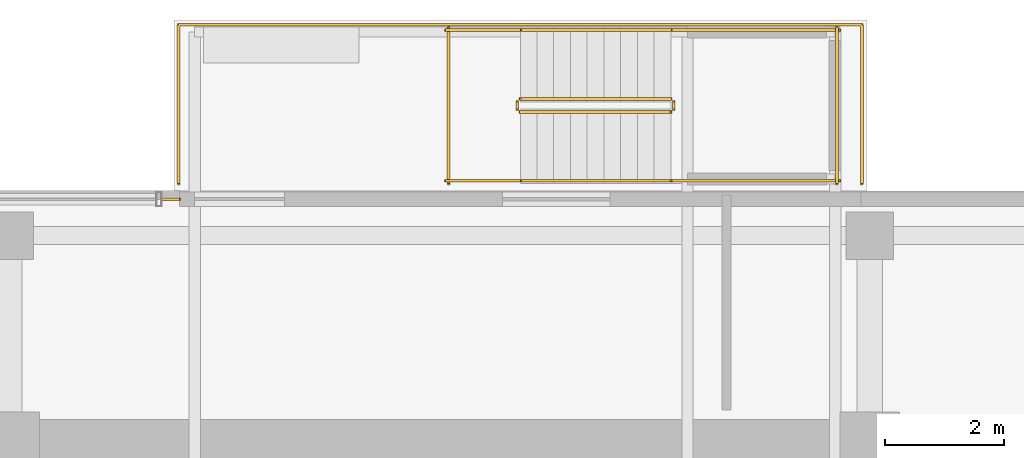
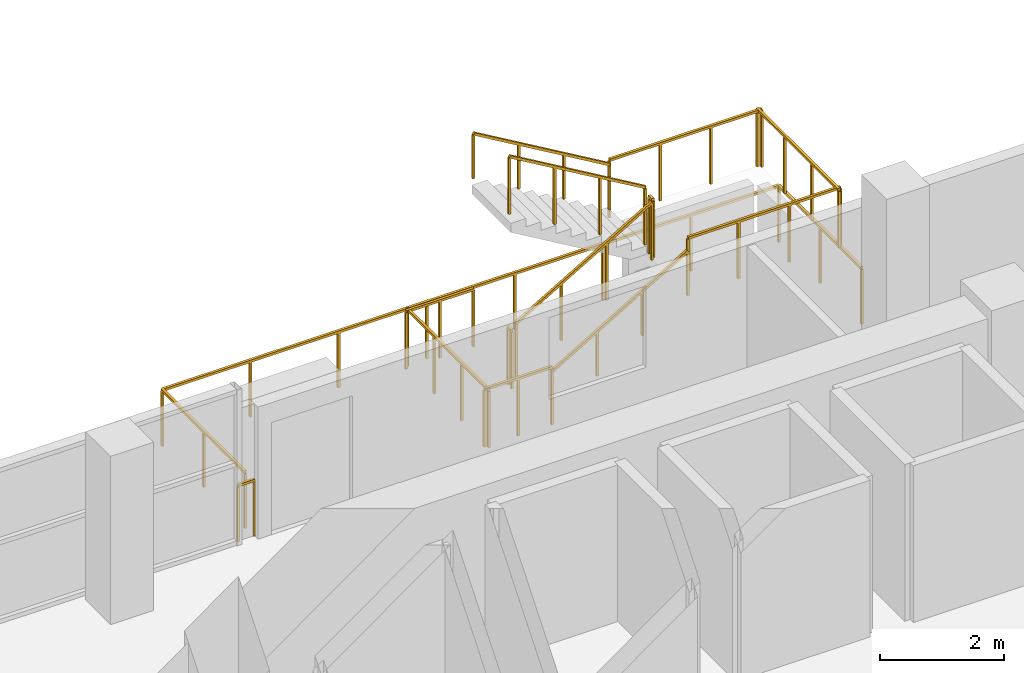
# One storey, part 26 of 27: 14 railings.
"""IFC4 building model written with IfcOpenShell, lengths in metres."""

from ifc_helpers import new_model, si_unit, direction, frame, origin, origin_2d, place, context, subcontext, project, spatial, rectangle, extrude, material, type_object, element, save


model = new_model("IFC4")

# Units and contexts
model_context = context("Model", 3, precision=1e-05, world=origin(), true_north=direction((0.0, 1.0)))
body_context = subcontext(model_context, "Body", "Model", "MODEL_VIEW")
ifc_project = project(units=[si_unit("LENGTHUNIT", "METRE"), si_unit("AREAUNIT", "SQUARE_METRE"), si_unit("VOLUMEUNIT", "CUBIC_METRE"), si_unit("PLANEANGLEUNIT", "RADIAN"), si_unit("MASSUNIT", "GRAM", prefix="KILO")], contexts=[model_context])

# Site, building, storey
site_placement = place(None, origin())
site = spatial("IfcSite", under=ifc_project, at=site_placement, CompositionType="ELEMENT")
building_placement = place(site_placement, origin())
building = spatial("IfcBuilding", under=site, at=building_placement, Name="Zarnakvel Exchange Tower", CompositionType="ELEMENT")
storey_placement = place(building_placement, frame((0.0, 0.0, 86.800048828125)))
storey = spatial("IfcBuildingStorey", under=building, at=storey_placement, Name="L23", CompositionType="ELEMENT", Elevation=86.800048828125)

# Railings
ifc_material_1 = material(Name="Architectural Bronze Anodised Aluminium", Category="aluminium")
railing_type_1 = type_object("IfcRailingType", Name="GR-02", PredefinedType="GUARDRAIL", material=ifc_material_1)
railing_1_placement = place(storey_placement, frame((-4.3701171875, 17.820068359375, 0.0)))
element("IfcRailing", 1, at=railing_1_placement, inside=storey, type_object=railing_type_1, Name="L23 Spiral Sky-Terrace Perimeter Guardrail", PredefinedType="GUARDRAIL", context=body_context, shape_type="SweptSolid", body=[
    extrude(rectangle(XDim=0.048095703125, YDim=0.048095703125, at=origin_2d()), frame((0.0, 0.0, 1.09619140625), z_axis=(0.0, 1.0, 0.0), x_axis=(-1.0, 0.0, 0.0)), (0.0, 0.0, 1.0), 2.659912109375),
    extrude(rectangle(XDim=0.048095703125, YDim=0.048095703125, at=origin_2d()), frame((0.0, 2.659912109375, 1.09619140625), z_axis=(1.0, 0.0, 0.0), x_axis=(0.0, 1.0, 0.0)), (0.0, 0.0, 1.0), 11.440185546875),
    extrude(rectangle(XDim=0.048095703125, YDim=0.048095703125, at=origin_2d()), frame((11.440185546875, 2.659912109375, 1.09619140625), z_axis=(0.0, -1.0, 0.0), x_axis=(1.0, 0.0, 0.0)), (0.0, 0.0, 1.0), 2.659912109375),
    extrude(rectangle(XDim=0.0419921875, YDim=0.0419921875, at=origin_2d()), origin(), (0.0, 0.0, 1.0), 1.072021484375),
    extrude(rectangle(XDim=0.0419921875, YDim=0.0419921875, at=origin_2d()), frame((0.0, 1.330078125, 0.0)), (0.0, 0.0, 1.0), 1.072021484375),
    extrude(rectangle(XDim=0.0419921875, YDim=0.0419921875, at=origin_2d()), frame((0.0, 2.659912109375, 0.0)), (0.0, 0.0, 1.0), 1.072021484375),
    extrude(rectangle(XDim=0.0419921875, YDim=0.0419921875, at=origin_2d()), frame((1.63427734375, 2.659912109375, 0.0)), (0.0, 0.0, 1.0), 1.072021484375),
    extrude(rectangle(XDim=0.0419921875, YDim=0.0419921875, at=origin_2d()), frame((3.2685546875, 2.659912109375, 0.0)), (0.0, 0.0, 1.0), 1.072021484375),
    extrude(rectangle(XDim=0.0419921875, YDim=0.0419921875, at=origin_2d()), frame((4.90283203125, 2.659912109375, 0.0)), (0.0, 0.0, 1.0), 1.072021484375),
    extrude(rectangle(XDim=0.0419921875, YDim=0.0419921875, at=origin_2d()), frame((6.537353515625, 2.659912109375, 0.0)), (0.0, 0.0, 1.0), 1.072021484375),
    extrude(rectangle(XDim=0.0419921875, YDim=0.0419921875, at=origin_2d()), frame((8.171630859375, 2.659912109375, 0.0)), (0.0, 0.0, 1.0), 1.072021484375),
    extrude(rectangle(XDim=0.0419921875, YDim=0.0419921875, at=origin_2d()), frame((9.805908203125, 2.659912109375, 0.0)), (0.0, 0.0, 1.0), 1.072021484375),
    extrude(rectangle(XDim=0.0419921875, YDim=0.0419921875, at=origin_2d()), frame((11.440185546875, 2.659912109375, 0.0)), (0.0, 0.0, 1.0), 1.072021484375),
    extrude(rectangle(XDim=0.0419921875, YDim=0.0419921875, at=origin_2d()), frame((11.440185546875, 1.330078125, 0.0)), (0.0, 0.0, 1.0), 1.072021484375),
    extrude(rectangle(XDim=0.0419921875, YDim=0.0419921875, at=origin_2d()), frame((11.440185546875, 0.0, 0.0)), (0.0, 0.0, 1.0), 1.072021484375),
])
railing_2_placement = place(storey_placement, frame((-4.64990234375, 17.56005859375, 0.0)))
element("IfcRailing", 2, at=railing_2_placement, inside=storey, type_object=railing_type_1, Name="L23 Corner Spandrel Balustrade #5", PredefinedType="GUARDRAIL", context=body_context, shape_type="SweptSolid", body=[
    extrude(rectangle(XDim=0.048095703125, YDim=0.048095703125, at=origin_2d()), frame((0.0, 0.0, 1.09619140625), z_axis=(1.0, 0.0, 0.0), x_axis=(0.0, 1.0, 0.0)), (0.0, 0.0, 1.0), 0.2998046875),
    extrude(rectangle(XDim=0.0419921875, YDim=0.0419921875, at=origin_2d()), origin(), (0.0, 0.0, 1.0), 1.072021484375),
    extrude(rectangle(XDim=0.0419921875, YDim=0.0419921875, at=origin_2d()), frame((0.2998046875, 0.0, 0.0)), (0.0, 0.0, 1.0), 1.072021484375),
])
ifc_material_2 = material(Name="Brushed Stainless Steel", Category="steel")
railing_type_2 = type_object("IfcRailingType", Name="HR-01", PredefinedType="HANDRAIL", material=ifc_material_2)
railing_3_placement = place(storey_placement, frame((1.35009765625, 17.8701171875, 0.1650390625)))
element("IfcRailing", 3, at=railing_3_placement, inside=storey, type_object=railing_type_2, Name="L23 ST-09 stair handrail 1", PredefinedType="HANDRAIL", context=body_context, shape_type="SweptSolid", body=[
    extrude(rectangle(XDim=0.048095703125, YDim=0.048095703125, at=origin_2d()), frame((0.0, 0.0, 0.8759765625), z_axis=(0.861560626758, 0.0, 0.507654692109), x_axis=(0.0, 1.0, 0.0)), (0.0, 0.0, 1.0), 2.925048828125),
    extrude(rectangle(XDim=0.0419921875, YDim=0.0419921875, at=origin_2d()), origin(), (0.0, 0.0, 1.0), 0.851806640625),
    extrude(rectangle(XDim=0.0419921875, YDim=0.0419921875, at=origin_2d()), frame((0.840087890625, 0.0, 0.494873046875)), (0.0, 0.0, 1.0), 0.851806640625),
    extrude(rectangle(XDim=0.0419921875, YDim=0.0419921875, at=origin_2d()), frame((1.679931640625, 0.0, 0.989990234375)), (0.0, 0.0, 1.0), 0.851806640625),
    extrude(rectangle(XDim=0.0419921875, YDim=0.0419921875, at=origin_2d()), frame((2.52001953125, 0.0, 1.48486328125)), (0.0, 0.0, 1.0), 0.851806640625),
])
railing_4_placement = place(storey_placement, frame((3.8701171875, 20.389892578125, 1.81494140625)))
element("IfcRailing", 4, at=railing_4_placement, inside=storey, type_object=railing_type_2, Name="L23 ST-09 stair handrail 2", PredefinedType="HANDRAIL", context=body_context, shape_type="SweptSolid", body=[
    extrude(rectangle(XDim=0.048095703125, YDim=0.048095703125, at=origin_2d()), frame((0.0, 0.0, 0.8759765625), z_axis=(-0.86152411907, 0.0, 0.507716645641), x_axis=(0.0, -1.0, 0.0)), (0.0, 0.0, 1.0), 2.925048828125),
    extrude(rectangle(XDim=0.0419921875, YDim=0.0419921875, at=origin_2d()), origin(), (0.0, 0.0, 1.0), 0.851806640625),
    extrude(rectangle(XDim=0.0419921875, YDim=0.0419921875, at=origin_2d()), frame((-0.840087890625, 0.0, 0.4951171875)), (0.0, 0.0, 1.0), 0.851806640625),
    extrude(rectangle(XDim=0.0419921875, YDim=0.0419921875, at=origin_2d()), frame((-1.679931640625, 0.0, 0.989990234375)), (0.0, 0.0, 1.0), 0.851806640625),
    extrude(rectangle(XDim=0.0419921875, YDim=0.0419921875, at=origin_2d()), frame((-2.52001953125, 0.0, 1.485107421875)), (0.0, 0.0, 1.0), 0.851806640625),
])
railing_type_3 = type_object("IfcRailingType", Name="SG-01", PredefinedType="GUARDRAIL", material=ifc_material_1)
railing_5_placement = place(storey_placement, frame((1.35009765625, 19.02001953125, 0.1650390625)))
element("IfcRailing", 5, at=railing_5_placement, inside=storey, type_object=railing_type_3, Name="L23 ST-09 stair guard 1", PredefinedType="GUARDRAIL", context=body_context, shape_type="SweptSolid", body=[
    extrude(rectangle(XDim=0.048095703125, YDim=0.048095703125, at=origin_2d()), frame((0.0, 0.0, 1.1259765625), z_axis=(0.861560626758, 0.0, 0.507654692109), x_axis=(0.0, 1.0, 0.0)), (0.0, 0.0, 1.0), 2.925048828125),
    extrude(rectangle(XDim=0.0419921875, YDim=0.0419921875, at=origin_2d()), origin(), (0.0, 0.0, 1.0), 1.101806640625),
    extrude(rectangle(XDim=0.0419921875, YDim=0.0419921875, at=origin_2d()), frame((0.840087890625, 0.0, 0.494873046875)), (0.0, 0.0, 1.0), 1.101806640625),
    extrude(rectangle(XDim=0.0419921875, YDim=0.0419921875, at=origin_2d()), frame((1.679931640625, 0.0, 0.989990234375)), (0.0, 0.0, 1.0), 1.101806640625),
    extrude(rectangle(XDim=0.0419921875, YDim=0.0419921875, at=origin_2d()), frame((2.52001953125, 0.0, 1.48486328125)), (0.0, 0.0, 1.0), 1.101806640625),
])
railing_6_placement = place(storey_placement, frame((3.919921875, 19.070068359375, 1.64990234375)))
element("IfcRailing", 6, at=railing_6_placement, inside=storey, type_object=railing_type_3, Name="L23 ST-09 stair guard 2", PredefinedType="GUARDRAIL", context=body_context, shape_type="SweptSolid", body=[
    extrude(rectangle(XDim=0.048095703125, YDim=0.048095703125, at=origin_2d()), frame((0.0, 0.0, 1.1259765625), z_axis=(0.0, 1.0, 0.0), x_axis=(-1.0, 0.0, 0.0)), (0.0, 0.0, 1.0), 0.119873046875),
    extrude(rectangle(XDim=0.0419921875, YDim=0.0419921875, at=origin_2d()), origin(), (0.0, 0.0, 1.0), 1.101806640625),
    extrude(rectangle(XDim=0.0419921875, YDim=0.0419921875, at=origin_2d()), frame((0.0, 0.119873046875, 0.0)), (0.0, 0.0, 1.0), 1.101806640625),
])
for number, where, name in (
    (7, (3.8701171875, 17.8701171875, 1.64990234375), "L23 ST-09 stair guard 3"),
    (8, (3.8701171875, 20.389892578125, 1.64990234375), "L23 ST-09 stair guard 4"),
):
    element("IfcRailing", number, at=place(storey_placement, frame(where)), inside=storey, type_object=railing_type_3, Name=name, PredefinedType="GUARDRAIL", context=body_context, shape_type="SweptSolid", body=[
        extrude(rectangle(XDim=0.048095703125, YDim=0.048095703125, at=origin_2d()), frame((0.0, 0.0, 1.1259765625), z_axis=(1.0, 0.0, 0.0), x_axis=(0.0, 1.0, 0.0)), (0.0, 0.0, 1.0), 2.829833984375),
        extrude(rectangle(XDim=0.0419921875, YDim=0.0419921875, at=origin_2d()), origin(), (0.0, 0.0, 1.0), 1.101806640625),
        extrude(rectangle(XDim=0.0419921875, YDim=0.0419921875, at=origin_2d()), frame((0.943359375, 0.0, 0.0)), (0.0, 0.0, 1.0), 1.101806640625),
        extrude(rectangle(XDim=0.0419921875, YDim=0.0419921875, at=origin_2d()), frame((1.886474609375, 0.0, 0.0)), (0.0, 0.0, 1.0), 1.101806640625),
        extrude(rectangle(XDim=0.0419921875, YDim=0.0419921875, at=origin_2d()), frame((2.829833984375, 0.0, 0.0)), (0.0, 0.0, 1.0), 1.101806640625),
    ])
railing_7_placement = place(storey_placement, frame((6.64990234375, 17.820068359375, 1.64990234375)))
element("IfcRailing", 9, at=railing_7_placement, inside=storey, type_object=railing_type_3, Name="L23 ST-09 stair guard 5", PredefinedType="GUARDRAIL", context=body_context, shape_type="SweptSolid", body=[
    extrude(rectangle(XDim=0.048095703125, YDim=0.048095703125, at=origin_2d()), frame((0.0, 0.0, 1.1259765625), z_axis=(0.0, 1.0, 0.0), x_axis=(-1.0, 0.0, 0.0)), (0.0, 0.0, 1.0), 2.619873046875),
    extrude(rectangle(XDim=0.0419921875, YDim=0.0419921875, at=origin_2d()), origin(), (0.0, 0.0, 1.0), 1.101806640625),
    extrude(rectangle(XDim=0.0419921875, YDim=0.0419921875, at=origin_2d()), frame((0.0, 0.873291015625, 0.0)), (0.0, 0.0, 1.0), 1.101806640625),
    extrude(rectangle(XDim=0.0419921875, YDim=0.0419921875, at=origin_2d()), frame((0.0, 1.74658203125, 0.0)), (0.0, 0.0, 1.0), 1.101806640625),
    extrude(rectangle(XDim=0.0419921875, YDim=0.0419921875, at=origin_2d()), frame((0.0, 2.619873046875, 0.0)), (0.0, 0.0, 1.0), 1.101806640625),
])
railing_8_placement = place(storey_placement, frame((3.8701171875, 19.239990234375, 1.81494140625)))
element("IfcRailing", 10, at=railing_8_placement, inside=storey, type_object=railing_type_3, Name="L23 ST-09 stair guard 6", PredefinedType="GUARDRAIL", context=body_context, shape_type="SweptSolid", body=[
    extrude(rectangle(XDim=0.048095703125, YDim=0.048095703125, at=origin_2d()), frame((0.0, 0.0, 1.1259765625), z_axis=(-0.86152411907, 0.0, 0.507716645641), x_axis=(0.0, -1.0, 0.0)), (0.0, 0.0, 1.0), 2.925048828125),
    extrude(rectangle(XDim=0.0419921875, YDim=0.0419921875, at=origin_2d()), origin(), (0.0, 0.0, 1.0), 1.101806640625),
    extrude(rectangle(XDim=0.0419921875, YDim=0.0419921875, at=origin_2d()), frame((-0.840087890625, 0.0, 0.4951171875)), (0.0, 0.0, 1.0), 1.101806640625),
    extrude(rectangle(XDim=0.0419921875, YDim=0.0419921875, at=origin_2d()), frame((-1.679931640625, 0.0, 0.989990234375)), (0.0, 0.0, 1.0), 1.101806640625),
    extrude(rectangle(XDim=0.0419921875, YDim=0.0419921875, at=origin_2d()), frame((-2.52001953125, 0.0, 1.485107421875)), (0.0, 0.0, 1.0), 1.101806640625),
])
railing_9_placement = place(storey_placement, frame((1.300048828125, 19.070068359375, 0.0)))
element("IfcRailing", 11, at=railing_9_placement, inside=storey, type_object=railing_type_3, Name="L23 ST-09 stair guard 7", PredefinedType="GUARDRAIL", context=body_context, shape_type="SweptSolid", body=[
    extrude(rectangle(XDim=0.048095703125, YDim=0.048095703125, at=origin_2d()), frame((0.0, 0.0, 1.1259765625), z_axis=(0.0, 1.0, 0.0), x_axis=(-1.0, 0.0, 0.0)), (0.0, 0.0, 1.0), 0.119873046875),
    extrude(rectangle(XDim=0.0419921875, YDim=0.0419921875, at=origin_2d()), origin(), (0.0, 0.0, 1.0), 1.101806640625),
    extrude(rectangle(XDim=0.0419921875, YDim=0.0419921875, at=origin_2d()), frame((0.0, 0.119873046875, 0.0)), (0.0, 0.0, 1.0), 1.101806640625),
])
for number, where, name in (
    (12, (0.10009765625, 17.8701171875, 0.0), "L23 ST-09 stair guard 8"),
    (13, (0.10009765625, 20.389892578125, 0.0), "L23 ST-09 stair guard 9"),
):
    element("IfcRailing", number, at=place(storey_placement, frame(where)), inside=storey, type_object=railing_type_3, Name=name, PredefinedType="GUARDRAIL", context=body_context, shape_type="SweptSolid", body=[
        extrude(rectangle(XDim=0.048095703125, YDim=0.048095703125, at=origin_2d()), frame((0.0, 0.0, 1.1259765625), z_axis=(1.0, 0.0, 0.0), x_axis=(0.0, 1.0, 0.0)), (0.0, 0.0, 1.0), 1.25),
        extrude(rectangle(XDim=0.0419921875, YDim=0.0419921875, at=origin_2d()), origin(), (0.0, 0.0, 1.0), 1.101806640625),
        extrude(rectangle(XDim=0.0419921875, YDim=0.0419921875, at=origin_2d()), frame((0.625, 0.0, 0.0)), (0.0, 0.0, 1.0), 1.101806640625),
        extrude(rectangle(XDim=0.0419921875, YDim=0.0419921875, at=origin_2d()), frame((1.25, 0.0, 0.0)), (0.0, 0.0, 1.0), 1.101806640625),
    ])
railing_10_placement = place(storey_placement, frame((0.14990234375, 17.820068359375, 0.0)))
element("IfcRailing", 14, at=railing_10_placement, inside=storey, type_object=railing_type_3, Name="L23 ST-09 stair guard 10", PredefinedType="GUARDRAIL", context=body_context, shape_type="SweptSolid", body=[
    extrude(rectangle(XDim=0.048095703125, YDim=0.048095703125, at=origin_2d()), frame((0.0, 0.0, 1.1259765625), z_axis=(0.0, 1.0, 0.0), x_axis=(-1.0, 0.0, 0.0)), (0.0, 0.0, 1.0), 2.619873046875),
    extrude(rectangle(XDim=0.0419921875, YDim=0.0419921875, at=origin_2d()), origin(), (0.0, 0.0, 1.0), 1.101806640625),
    extrude(rectangle(XDim=0.0419921875, YDim=0.0419921875, at=origin_2d()), frame((0.0, 0.873291015625, 0.0)), (0.0, 0.0, 1.0), 1.101806640625),
    extrude(rectangle(XDim=0.0419921875, YDim=0.0419921875, at=origin_2d()), frame((0.0, 1.74658203125, 0.0)), (0.0, 0.0, 1.0), 1.101806640625),
    extrude(rectangle(XDim=0.0419921875, YDim=0.0419921875, at=origin_2d()), frame((0.0, 2.619873046875, 0.0)), (0.0, 0.0, 1.0), 1.101806640625),
])

save(model, "model.ifc")
